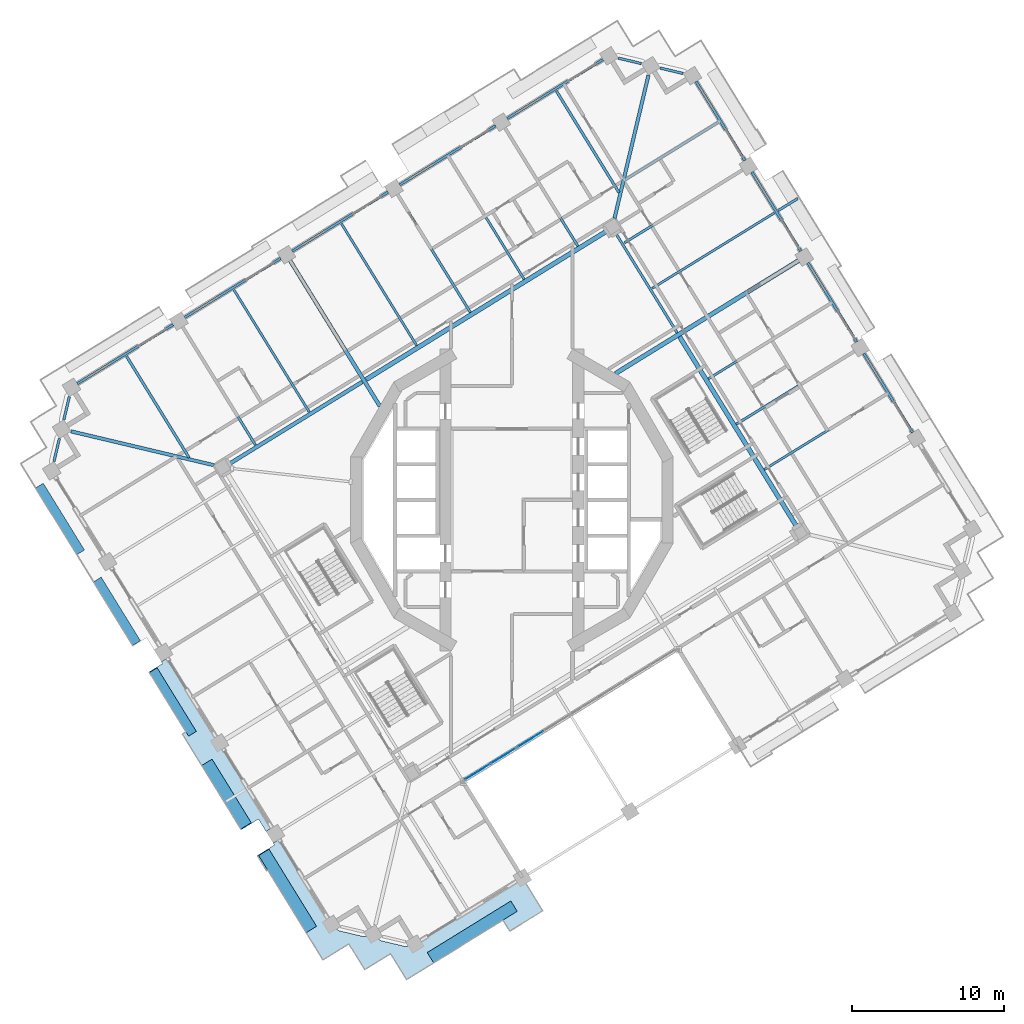
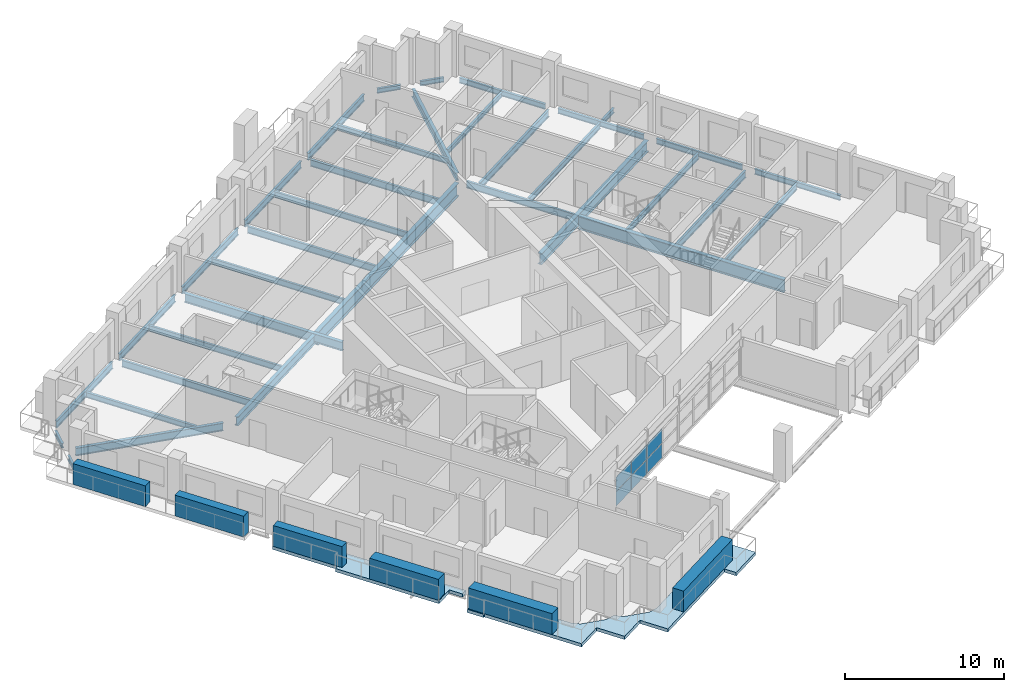
# One storey, part 6 of 22: 36 beams, 12 plates, 2 slabs, 1 element without a shape of its own.
"""IFC4 building model written with IfcOpenShell, lengths in metres."""

from ifc_helpers import new_model, si_unit, direction, frame, origin, origin_2d, place, context, subcontext, project, spatial, polyline, rectangle, i_section, outline, extrude, material, layer, layer_set, material_profile, profile_set, type_object, element, aggregate, save


model = new_model("IFC4")

# Units and contexts
model_context = context("Model", 3, precision=1e-05, world=origin(), true_north=direction((0.0, 1.0)))
body_context = subcontext(model_context, "Body", "Model", "MODEL_VIEW")
ifc_project = project(units=[si_unit("LENGTHUNIT", "METRE"), si_unit("AREAUNIT", "SQUARE_METRE"), si_unit("VOLUMEUNIT", "CUBIC_METRE"), si_unit("PLANEANGLEUNIT", "RADIAN"), si_unit("MASSUNIT", "GRAM", prefix="KILO")], contexts=[model_context])

# Site, building, storey
site_placement = place(None, origin())
site = spatial("IfcSite", under=ifc_project, at=site_placement, CompositionType="ELEMENT")
building_placement = place(site_placement, origin())
building = spatial("IfcBuilding", under=site, at=building_placement, Name="Cantera Rosa Tower", CompositionType="ELEMENT")
storey_placement = place(building_placement, frame((0.0, 0.0, 178.0)))
storey = spatial("IfcBuildingStorey", under=building, at=storey_placement, Name="L39", CompositionType="ELEMENT", Elevation=178.0)

# Beams
ifc_material_1 = material(Name="Steel ASTM A992 (Fy 345 MPa)", Category="steel")
ifc_material_profile_1 = material_profile(ifc_material_1, i_section(OverallWidth=0.300048828125, OverallDepth=0.990966796875, WebThickness=0.0166015625, FlangeThickness=0.030517578125, FilletRadius=0.030029296875, at=origin_2d()), Name="W1000X272")
ifc_profile_set_1 = profile_set([ifc_material_profile_1], Name="Steel ASTM A992 (Fy 345 MPa)")
beam_type_1 = type_object("IfcBeamType", Name="STEEL BEAM W1000X272", PredefinedType="BEAM", material=ifc_profile_set_1)
beam_1_placement = place(storey_placement, frame((18.767822265625, -1.75927734375, -0.74560546875), z_axis=(-0.524974072618, 0.851118219215, 0.0), x_axis=(-0.851118219215, -0.524974072618, 0.0)))
element("IfcBeam", 1, at=beam_1_placement, inside=storey, type_object=beam_type_1, Name="RB-Z3-05 L39", PredefinedType="BEAM", context=body_context, shape_type="SweptSolid", body=[
    extrude(i_section(OverallWidth=0.300048828125, OverallDepth=0.990966796875, WebThickness=0.0166015625, FlangeThickness=0.030517578125, FilletRadius=0.030029296875, at=origin_2d()), origin(), (0.0, 0.0, 1.0), 14.7099609375),
])
ifc_material_2 = material(Name="Steel ASTM A992 (Fy 345 MPa)", Category="steel")
ifc_material_profile_2 = material_profile(ifc_material_2, i_section(OverallWidth=0.302001953125, OverallDepth=1.010009765625, WebThickness=0.02099609375, FlangeThickness=0.0400390625, FilletRadius=0.030029296875, at=origin_2d()), Name="W1000X350")
ifc_profile_set_2 = profile_set([ifc_material_profile_2], Name="Steel ASTM A992 (Fy 345 MPa)")
beam_type_2 = type_object("IfcBeamType", Name="STEEL BEAM W1000X350", PredefinedType="BEAM", material=ifc_profile_set_2)
beam_2_placement = place(storey_placement, frame((-9.607666015625, 7.93798828125, -0.7548828125), z_axis=(0.851118702028, 0.524973289852, 0.0), x_axis=(-0.524973289852, 0.851118702028, 0.0)))
element("IfcBeam", 2, at=beam_2_placement, inside=storey, type_object=beam_type_2, Name="RB-Z3-02 L39", PredefinedType="BEAM", context=body_context, shape_type="SweptSolid", body=[
    extrude(i_section(OverallWidth=0.302001953125, OverallDepth=1.010009765625, WebThickness=0.02099609375, FlangeThickness=0.0400390625, FilletRadius=0.030029296875, at=origin_2d()), origin(), (0.0, 0.0, 1.0), 18.610107421875),
])
ifc_material_3 = material(Name="Steel ASTM A992 (Fy 345 MPa)", Category="steel")
ifc_material_profile_3 = material_profile(ifc_material_3, i_section(OverallWidth=0.166015625, OverallDepth=0.528076171875, WebThickness=0.009765625, FlangeThickness=0.013671875, FilletRadius=0.0126953125, at=origin_2d()), Name="W530X74")
ifc_profile_set_3 = profile_set([ifc_material_profile_3], Name="Steel ASTM A992 (Fy 345 MPa)")
beam_type_3 = type_object("IfcBeamType", Name="STEEL BEAM W530X74", PredefinedType="BEAM", material=ifc_profile_set_3)
for number, where, z_axis, x_axis, name in (
    (3, (22.5673828125, 9.795654296875, -0.513916015625), (-0.851123779764, -0.524965057427, 0.0), (0.524965057427, -0.851123779764, 0.0), "G-Z3-02 L39"),
    (4, (15.19677734375, 21.745361328125, -0.513916015625), (-0.851123779764, -0.524965057427, 0.0), (0.524965057427, -0.851123779764, 0.0), "G-Z3-04 L39"),
):
    element("IfcBeam", number, at=place(storey_placement, frame(where, z_axis=z_axis, x_axis=x_axis)), inside=storey, type_object=beam_type_3, Name=name, PredefinedType="BEAM", context=body_context, shape_type="SweptSolid", body=[
        extrude(i_section(OverallWidth=0.166015625, OverallDepth=0.528076171875, WebThickness=0.009765625, FlangeThickness=0.013671875, FilletRadius=0.0126953125, at=origin_2d()), origin(), (0.0, 0.0, 1.0), 9.150146484375),
    ])
beam_3_placement = place(storey_placement, frame((-0.455078125, 24.51025390625, -0.513916015625), z_axis=(0.524976979362, -0.851116426313, 0.0), x_axis=(0.851116426313, 0.524976979362, 0.0)))
element("IfcBeam", 5, at=beam_3_placement, inside=storey, type_object=beam_type_3, Name="G-Z3-05 L39", PredefinedType="BEAM", context=body_context, shape_type="SweptSolid", body=[
    extrude(i_section(OverallWidth=0.166015625, OverallDepth=0.528076171875, WebThickness=0.009765625, FlangeThickness=0.013671875, FilletRadius=0.0126953125, at=origin_2d()), origin(), (0.0, 0.0, 1.0), 9.14990234375),
])
beam_4_placement = place(storey_placement, frame((-7.536376953125, 20.142578125, -0.513916015625), z_axis=(0.524965057427, -0.851123779764, 0.0), x_axis=(0.851123779764, 0.524965057427, 0.0)))
element("IfcBeam", 6, at=beam_4_placement, inside=storey, type_object=beam_type_3, Name="G-Z3-06 L39", PredefinedType="BEAM", context=body_context, shape_type="SweptSolid", body=[
    extrude(i_section(OverallWidth=0.166015625, OverallDepth=0.528076171875, WebThickness=0.009765625, FlangeThickness=0.013671875, FilletRadius=0.0126953125, at=origin_2d()), origin(), (0.0, 0.0, 1.0), 9.150146484375),
])
beam_5_placement = place(storey_placement, frame((-21.698974609375, 11.40673828125, -0.513916015625), z_axis=(0.524976979362, -0.851116426313, 0.0), x_axis=(0.851116426313, 0.524976979362, 0.0)))
element("IfcBeam", 7, at=beam_5_placement, inside=storey, type_object=beam_type_3, Name="G-Z3-08 L39", PredefinedType="BEAM", context=body_context, shape_type="SweptSolid", body=[
    extrude(i_section(OverallWidth=0.166015625, OverallDepth=0.528076171875, WebThickness=0.009765625, FlangeThickness=0.013671875, FilletRadius=0.0126953125, at=origin_2d()), origin(), (0.0, 0.0, 1.0), 9.14990234375),
])
beam_6_placement = place(storey_placement, frame((10.887939453125, 11.015869140625, -0.513916015625), z_axis=(-0.52497571981, 0.851117203216, 0.0), x_axis=(-0.851117203216, -0.52497571981, 0.0)))
element("IfcBeam", 8, at=beam_6_placement, inside=storey, type_object=beam_type_3, Name="RB-Z3-06 L39", PredefinedType="BEAM", context=body_context, shape_type="SweptSolid", body=[
    extrude(i_section(OverallWidth=0.166015625, OverallDepth=0.528076171875, WebThickness=0.009765625, FlangeThickness=0.013671875, FilletRadius=0.0126953125, at=origin_2d()), origin(), (0.0, 0.0, 1.0), 7.690185546875),
])
ifc_material_4 = material(Name="Steel ASTM A992 (Fy 345 MPa)", Category="steel")
ifc_material_profile_4 = material_profile(ifc_material_4, i_section(OverallWidth=0.22802734375, OverallDepth=0.60205078125, WebThickness=0.010498046875, FlangeThickness=0.014892578125, FilletRadius=0.0126953125, at=origin_2d()), Name="W610X101")
ifc_profile_set_4 = profile_set([ifc_material_profile_4], Name="Steel ASTM A992 (Fy 345 MPa)")
beam_type_4 = type_object("IfcBeamType", Name="STEEL BEAM W610X101", PredefinedType="BEAM", material=ifc_profile_set_4)
for number, where, z_axis, x_axis, name in (
    (9, (8.995361328125, 27.989501953125, -0.551025390625), (-0.230622120091, -0.973043389436, 0.0), (0.973043389436, -0.230622120091, 0.0), "CB-Z3-01 L39"),
    (10, (-29.049560546875, 4.523193359375, -0.551025390625), (0.973043389436, -0.230622120091, 0.0), (0.230622120091, 0.973043389436, 0.0), "CB-Z3-02 L39"),
):
    element("IfcBeam", number, at=place(storey_placement, frame(where, z_axis=z_axis, x_axis=x_axis)), inside=storey, type_object=beam_type_4, Name=name, PredefinedType="BEAM", context=body_context, shape_type="SweptSolid", body=[
        extrude(i_section(OverallWidth=0.22802734375, OverallDepth=0.60205078125, WebThickness=0.010498046875, FlangeThickness=0.014892578125, FilletRadius=0.0126953125, at=origin_2d()), origin(), (0.0, 0.0, 1.0), 9.6875),
    ])
ifc_material_5 = material(Name="Steel ASTM A992 (Fy 345 MPa)", Category="steel")
ifc_material_profile_5 = material_profile(ifc_material_5, i_section(OverallWidth=0.25390625, OverallDepth=0.677978515625, WebThickness=0.01171875, FlangeThickness=0.016357421875, FilletRadius=0.01513671875, at=origin_2d()), Name="W690X125")
ifc_profile_set_5 = profile_set([ifc_material_profile_5], Name="Steel ASTM A992 (Fy 345 MPa)")
beam_type_5 = type_object("IfcBeamType", Name="STEEL BEAM W690X125", PredefinedType="BEAM", material=ifc_profile_set_5)
beam_7_placement = place(storey_placement, frame((-14.61767578125, 15.774658203125, -0.589111328125), z_axis=(0.524984160378, -0.85111199695, 0.0), x_axis=(0.85111199695, 0.524984160378, 0.0)))
element("IfcBeam", 11, at=beam_7_placement, inside=storey, type_object=beam_type_5, Name="G-Z3-07 L39", PredefinedType="BEAM", context=body_context, shape_type="SweptSolid", body=[
    extrude(i_section(OverallWidth=0.25390625, OverallDepth=0.677978515625, WebThickness=0.01171875, FlangeThickness=0.016357421875, FilletRadius=0.01513671875, at=origin_2d()), origin(), (0.0, 0.0, 1.0), 11.271728515625),
])
beam_8_placement = place(storey_placement, frame((-18.62109375, 2.37841796875, -0.589111328125), z_axis=(0.851114508358, 0.524980088825, 0.0), x_axis=(-0.524980088825, 0.851114508358, 0.0)))
element("IfcBeam", 12, at=beam_8_placement, inside=storey, type_object=beam_type_5, Name="RB-Z3-01 L39", PredefinedType="BEAM", context=body_context, shape_type="SweptSolid", body=[
    extrude(i_section(OverallWidth=0.25390625, OverallDepth=0.677978515625, WebThickness=0.01171875, FlangeThickness=0.016357421875, FilletRadius=0.01513671875, at=origin_2d()), origin(), (0.0, 0.0, 1.0), 10.2900390625),
])
ifc_material_6 = material(Name="Steel ASTM A992 (Fy 345 MPa)", Category="steel")
ifc_material_profile_6 = material_profile(ifc_material_6, i_section(OverallWidth=0.2919921875, OverallDepth=0.8359375, WebThickness=0.013916015625, FlangeThickness=0.018798828125, FilletRadius=0.017822265625, at=origin_2d()), Name="W840X176")
ifc_profile_set_6 = profile_set([ifc_material_profile_6], Name="Steel ASTM A992 (Fy 345 MPa)")
beam_type_6 = type_object("IfcBeamType", Name="STEEL BEAM W840X176", PredefinedType="BEAM", material=ifc_profile_set_6)
beam_9_placement = place(storey_placement, frame((18.882080078125, 15.7705078125, -0.66796875), z_axis=(-0.8511231456, -0.524966085595, 0.0), x_axis=(0.524966085595, -0.8511231456, 0.0)))
element("IfcBeam", 13, at=beam_9_placement, inside=storey, type_object=beam_type_6, Name="G-Z3-03 L39", PredefinedType="BEAM", context=body_context, shape_type="SweptSolid", body=[
    extrude(i_section(OverallWidth=0.2919921875, OverallDepth=0.8359375, WebThickness=0.013916015625, FlangeThickness=0.018798828125, FilletRadius=0.017822265625, at=origin_2d()), origin(), (0.0, 0.0, 1.0), 14.17138671875),
])
ifc_material_7 = material(Name="Steel ASTM A992 (Fy 345 MPa)", Category="steel")
ifc_material_profile_7 = material_profile(ifc_material_7, i_section(OverallWidth=0.1708984375, OverallDepth=0.35595703125, WebThickness=0.00732421875, FlangeThickness=0.01171875, FilletRadius=0.010009765625, at=origin_2d()), Name="W360X51")
ifc_profile_set_7 = profile_set([ifc_material_profile_7], Name="Steel ASTM A992 (Fy 345 MPa)")
beam_type_7 = type_object("IfcBeamType", Name="STEEL JOIST W360X51", PredefinedType="JOIST", material=ifc_profile_set_7)
beam_10_placement = place(storey_placement, frame((13.609375, 24.890380859375, -0.427978515625), z_axis=(-0.851109089911, -0.524988873283, 0.0), x_axis=(0.524988873283, -0.851109089911, 0.0)))
element("IfcBeam", 14, at=beam_10_placement, inside=storey, type_object=beam_type_7, Name="B-Z3-05 L39", PredefinedType="JOIST", context=body_context, shape_type="SweptSolid", body=[
    extrude(i_section(OverallWidth=0.1708984375, OverallDepth=0.35595703125, WebThickness=0.00732421875, FlangeThickness=0.01171875, FilletRadius=0.010009765625, at=origin_2d()), origin(), (0.0, 0.0, 1.0), 7.2099609375),
])
beam_11_placement = place(storey_placement, frame((17.532958984375, 19.0625, -0.427978515625), z_axis=(0.851148289142, 0.524925318393, 0.0), x_axis=(-0.524925318393, 0.851148289142, 0.0)))
element("IfcBeam", 15, at=beam_11_placement, inside=storey, type_object=beam_type_7, Name="BS-Z3-24 L39", PredefinedType="JOIST", context=body_context, shape_type="SweptSolid", body=[
    extrude(i_section(OverallWidth=0.1708984375, OverallDepth=0.35595703125, WebThickness=0.00732421875, FlangeThickness=0.01171875, FilletRadius=0.010009765625, at=origin_2d()), origin(), (0.0, 0.0, 1.0), 1.52978515625),
])
ifc_material_8 = material(Name="Steel ASTM A992 (Fy 345 MPa)", Category="steel")
ifc_material_profile_8 = material_profile(ifc_material_8, i_section(OverallWidth=0.177978515625, OverallDepth=0.406005859375, WebThickness=0.0078125, FlangeThickness=0.0126953125, FilletRadius=0.01025390625, at=origin_2d()), Name="W410X60")
ifc_profile_set_8 = profile_set([ifc_material_profile_8], Name="Steel ASTM A992 (Fy 345 MPa)")
beam_type_8 = type_object("IfcBeamType", Name="STEEL JOIST W410X60", PredefinedType="JOIST", material=ifc_profile_set_8)
beam_12_placement = place(storey_placement, frame((2.927978515625, 26.949462890625, -0.452880859375), z_axis=(0.524994840515, -0.85110540912, 0.0), x_axis=(0.85110540912, 0.524994840515, 0.0)))
element("IfcBeam", 16, at=beam_12_placement, inside=storey, type_object=beam_type_8, Name="B-Z3-06 L39", PredefinedType="JOIST", context=body_context, shape_type="SweptSolid", body=[
    extrude(i_section(OverallWidth=0.177978515625, OverallDepth=0.406005859375, WebThickness=0.0078125, FlangeThickness=0.0126953125, FilletRadius=0.01025390625, at=origin_2d()), origin(), (0.0, 0.0, 1.0), 7.860107421875),
])
beam_13_placement = place(storey_placement, frame((-25.39697265625, 9.478271484375, -0.452880859375), z_axis=(0.524972339906, -0.851119287958, 0.0), x_axis=(0.851119287958, 0.524972339906, 0.0)))
element("IfcBeam", 17, at=beam_13_placement, inside=storey, type_object=beam_type_8, Name="B-Z3-10 L39", PredefinedType="JOIST", context=body_context, shape_type="SweptSolid", body=[
    extrude(i_section(OverallWidth=0.177978515625, OverallDepth=0.406005859375, WebThickness=0.0078125, FlangeThickness=0.0126953125, FilletRadius=0.01025390625, at=origin_2d()), origin(), (0.0, 0.0, 1.0), 7.85986328125),
])
ifc_material_9 = material(Name="Steel ASTM A992 (Fy 345 MPa)", Category="steel")
ifc_material_profile_9 = material_profile(ifc_material_9, i_section(OverallWidth=0.154052734375, OverallDepth=0.4599609375, WebThickness=0.009033203125, FlangeThickness=0.015380859375, FilletRadius=0.01025390625, at=origin_2d()), Name="W460X68")
ifc_profile_set_9 = profile_set([ifc_material_profile_9], Name="Steel ASTM A992 (Fy 345 MPa)")
beam_type_9 = type_object("IfcBeamType", Name="STEEL JOIST W460X68", PredefinedType="JOIST", material=ifc_profile_set_9)
for number, where, z_axis, x_axis, name in (
    (18, (24.665283203125, 6.9658203125, -0.47998046875), (-0.851118539758, -0.524973552935, 0.0), (0.524973552935, -0.851118539758, 0.0), "B-Z3-02 L39"),
    (19, (20.97998046875, 12.940673828125, -0.47998046875), (-0.851118539758, -0.524973552935, 0.0), (0.524973552935, -0.851118539758, 0.0), "B-Z3-03 L39"),
    (20, (17.294677734375, 18.91552734375, -0.47998046875), (-0.851118539758, -0.524973552935, 0.0), (0.524973552935, -0.851118539758, 0.0), "B-Z3-04 L39"),
):
    element("IfcBeam", number, at=place(storey_placement, frame(where, z_axis=z_axis, x_axis=x_axis)), inside=storey, type_object=beam_type_9, Name=name, PredefinedType="JOIST", context=body_context, shape_type="SweptSolid", body=[
        extrude(i_section(OverallWidth=0.154052734375, OverallDepth=0.4599609375, WebThickness=0.009033203125, FlangeThickness=0.015380859375, FilletRadius=0.01025390625, at=origin_2d()), origin(), (0.0, 0.0, 1.0), 9.449951171875),
    ])
beam_14_placement = place(storey_placement, frame((-4.1533203125, 22.581787109375, -0.47998046875), z_axis=(0.524980724235, -0.851114116427, 0.0), x_axis=(0.851114116427, 0.524980724235, 0.0)))
element("IfcBeam", 21, at=beam_14_placement, inside=storey, type_object=beam_type_9, Name="B-Z3-07 L39", PredefinedType="JOIST", context=body_context, shape_type="SweptSolid", body=[
    extrude(i_section(OverallWidth=0.154052734375, OverallDepth=0.4599609375, WebThickness=0.009033203125, FlangeThickness=0.015380859375, FilletRadius=0.01025390625, at=origin_2d()), origin(), (0.0, 0.0, 1.0), 9.4501953125),
])
beam_15_placement = place(storey_placement, frame((-11.234619140625, 18.2138671875, -0.47998046875), z_axis=(0.524992267726, -0.85110699611, 0.0), x_axis=(0.85110699611, 0.524992267726, 0.0)))
element("IfcBeam", 22, at=beam_15_placement, inside=storey, type_object=beam_type_9, Name="B-Z3-08 L39", PredefinedType="JOIST", context=body_context, shape_type="SweptSolid", body=[
    extrude(i_section(OverallWidth=0.154052734375, OverallDepth=0.4599609375, WebThickness=0.009033203125, FlangeThickness=0.015380859375, FilletRadius=0.01025390625, at=origin_2d()), origin(), (0.0, 0.0, 1.0), 9.449951171875),
])
beam_16_placement = place(storey_placement, frame((-18.315673828125, 13.84619140625, -0.47998046875), z_axis=(0.524962009542, -0.851125659663, 0.0), x_axis=(0.851125659663, 0.524962009542, 0.0)))
element("IfcBeam", 23, at=beam_16_placement, inside=storey, type_object=beam_type_9, Name="B-Z3-09 L39", PredefinedType="JOIST", context=body_context, shape_type="SweptSolid", body=[
    extrude(i_section(OverallWidth=0.154052734375, OverallDepth=0.4599609375, WebThickness=0.009033203125, FlangeThickness=0.015380859375, FilletRadius=0.01025390625, at=origin_2d()), origin(), (0.0, 0.0, 1.0), 9.4501953125),
])
ifc_material_10 = material(Name="Steel ASTM A992 (Fy 345 MPa)", Category="steel")
ifc_material_profile_10 = material_profile(ifc_material_10, i_section(OverallWidth=0.1708984375, OverallDepth=0.35595703125, WebThickness=0.00732421875, FlangeThickness=0.01171875, FilletRadius=0.010009765625, at=origin_2d()), Name="W360X51")
ifc_profile_set_10 = profile_set([ifc_material_profile_10], Name="Steel ASTM A992 (Fy 345 MPa)")
beam_type_10 = type_object("IfcBeamType", Name="STEEL SPANDREL BEAM W360X51", PredefinedType="SPANDREL", material=ifc_profile_set_10)
for number, where, z_axis, x_axis, name in (
    (24, (11.275146484375, 28.103271484375, -0.427978515625), (-0.973059906546, 0.230552419793, 0.0), (-0.230552419793, -0.973059906546, 0.0), "EB-Z3-06 L39"),
    (25, (8.52294921875, 28.755615234375, -0.427978515625), (-0.973059906546, 0.230552419793, 0.0), (-0.230552419793, -0.973059906546, 0.0), "EB-Z3-07 L39"),
    (26, (-29.163330078125, 6.802734375, -0.427978515625), (-0.230552419793, -0.973059906546, 0.0), (0.973059906546, -0.230552419793, 0.0), "EB-Z3-13 L39"),
    (27, (-29.8154296875, 4.050537109375, -0.427978515625), (-0.230701014544, -0.973024687194, 0.0), (0.973024687194, -0.230701014544, 0.0), "EB-Z3-14 L39"),
):
    element("IfcBeam", number, at=place(storey_placement, frame(where, z_axis=z_axis, x_axis=x_axis)), inside=storey, type_object=beam_type_10, Name=name, PredefinedType="SPANDREL", context=body_context, shape_type="SweptSolid", body=[
        extrude(i_section(OverallWidth=0.1708984375, OverallDepth=0.35595703125, WebThickness=0.00732421875, FlangeThickness=0.01171875, FilletRadius=0.010009765625, at=origin_2d()), origin(), (0.0, 0.0, 1.0), 1.5556640625),
    ])
ifc_material_11 = material(Name="Steel ASTM A992 (Fy 345 MPa)", Category="steel")
ifc_material_profile_11 = material_profile(ifc_material_11, i_section(OverallWidth=0.177978515625, OverallDepth=0.406005859375, WebThickness=0.0078125, FlangeThickness=0.0126953125, FilletRadius=0.01025390625, at=origin_2d()), Name="W410X60")
ifc_profile_set_11 = profile_set([ifc_material_profile_11], Name="Steel ASTM A992 (Fy 345 MPa)")
beam_type_11 = type_object("IfcBeamType", Name="STEEL SPANDREL BEAM W410X60", PredefinedType="SPANDREL", material=ifc_profile_set_11)
for number, where, z_axis, x_axis, name in (
    (28, (26.3994140625, 4.440185546875, -0.452880859375), (-0.524987447654, 0.851109969279, 0.0), (-0.851109969279, -0.524987447654, 0.0), "EB-Z3-02 L39"),
    (29, (22.714111328125, 10.4150390625, -0.452880859375), (-0.524987447654, 0.851109969279, 0.0), (-0.851109969279, -0.524987447654, 0.0), "EB-Z3-03 L39"),
    (30, (19.02880859375, 16.389892578125, -0.452880859375), (-0.524987447654, 0.851109969279, 0.0), (-0.851109969279, -0.524987447654, 0.0), "EB-Z3-04 L39"),
    (31, (15.343505859375, 22.36474609375, -0.452880859375), (-0.524987447654, 0.851109969279, 0.0), (-0.851109969279, -0.524987447654, 0.0), "EB-Z3-05 L39"),
):
    element("IfcBeam", number, at=place(storey_placement, frame(where, z_axis=z_axis, x_axis=x_axis)), inside=storey, type_object=beam_type_11, Name=name, PredefinedType="SPANDREL", context=body_context, shape_type="SweptSolid", body=[
        extrude(i_section(OverallWidth=0.177978515625, OverallDepth=0.406005859375, WebThickness=0.0078125, FlangeThickness=0.0126953125, FilletRadius=0.01025390625, at=origin_2d()), origin(), (0.0, 0.0, 1.0), 6.119873046875),
    ])
ifc_material_12 = material(Name="Steel ASTM A992 (Fy 345 MPa)", Category="steel")
ifc_material_profile_12 = material_profile(ifc_material_12, i_section(OverallWidth=0.166015625, OverallDepth=0.528076171875, WebThickness=0.009765625, FlangeThickness=0.013671875, FilletRadius=0.0126953125, at=origin_2d()), Name="W530X74")
ifc_profile_set_12 = profile_set([ifc_material_profile_12], Name="Steel ASTM A992 (Fy 345 MPa)")
beam_type_12 = type_object("IfcBeamType", Name="STEEL SPANDREL BEAM W530X74", PredefinedType="SPANDREL", material=ifc_profile_set_12)
for number, where, z_axis, x_axis, name in (
    (32, (6.007080078125, 29.02490234375, -0.513916015625), (-0.851111085575, -0.524985637909, 0.0), (0.524985637909, -0.851111085575, 0.0), "EB-Z3-08 L39"),
    (33, (-1.07421875, 24.656982421875, -0.513916015625), (-0.85112578684, -0.524961803349, 0.0), (0.524961803349, -0.85112578684, 0.0), "EB-Z3-09 L39"),
    (34, (-8.155517578125, 20.289306640625, -0.513916015625), (-0.851111085575, -0.524985637909, 0.0), (0.524985637909, -0.851111085575, 0.0), "EB-Z3-10 L39"),
    (35, (-15.23681640625, 15.92138671875, -0.513916015625), (-0.85112578684, -0.524961803349, 0.0), (0.524961803349, -0.85112578684, 0.0), "EB-Z3-11 L39"),
    (36, (-22.318115234375, 11.5537109375, -0.513916015625), (-0.851111085575, -0.524985637909, 0.0), (0.524985637909, -0.851111085575, 0.0), "EB-Z3-12 L39"),
):
    element("IfcBeam", number, at=place(storey_placement, frame(where, z_axis=z_axis, x_axis=x_axis)), inside=storey, type_object=beam_type_12, Name=name, PredefinedType="SPANDREL", context=body_context, shape_type="SweptSolid", body=[
        extrude(i_section(OverallWidth=0.166015625, OverallDepth=0.528076171875, WebThickness=0.009765625, FlangeThickness=0.013671875, FilletRadius=0.0126953125, at=origin_2d()), origin(), (0.0, 0.0, 1.0), 7.420166015625),
    ])

# Curtain wall, plates
ifc_material_13 = material(Name="Aluminium frame with clear glass", Category="aluminium")
curtain_wall_type = type_object("IfcCurtainWallType", Name="CW1 TERRACE POCKET GLAZING", PredefinedType="NOTDEFINED", material=ifc_material_13)
curtain_wall_placement = place(storey_placement, origin())
curtain_wall = element("IfcCurtainWall", 37, at=curtain_wall_placement, inside=storey, type_object=curtain_wall_type, Name="CW1 CW1", PredefinedType="NOTDEFINED")
ifc_material_14 = material(Name="Aluminium frame with clear glass", Category="aluminium")
ifc_layer_1 = layer(ifc_material_14, 0.028076171875)
ifc_layer_set_1 = layer_set([ifc_layer_1], Name="CW-PANEL POCKET")
plate_type_1 = type_object("IfcPlateType", Name="CW-PANEL POCKET", PredefinedType="CURTAIN_PANEL", material=ifc_layer_set_1)
plate_1_placement = place(storey_placement, frame((-2.2548828125, -17.898681640625, 0.06005859375), z_axis=(0.0, 0.0, 1.0), x_axis=(0.851116672425, 0.524976580354, 0.0)))
plate_1 = element("IfcPlate", 38, at=plate_1_placement, type_object=plate_type_1, Name="CW1 panel 1.1", PredefinedType="CURTAIN_PANEL", context=body_context, shape_type="SweptSolid", body=[
    extrude(rectangle(XDim=1.958740234375, YDim=0.028076171875, at=origin_2d()), origin(), (0.0, 0.0, 1.0), 1.0791015625),
])
plate_2_placement = place(storey_placement, frame((-2.2548828125, -17.898681640625, 1.198974609375), z_axis=(0.0, 0.0, 1.0), x_axis=(0.851116672425, 0.524976580354, 0.0)))
plate_2 = element("IfcPlate", 39, at=plate_2_placement, type_object=plate_type_1, Name="CW1 panel 1.2", PredefinedType="CURTAIN_PANEL", context=body_context, shape_type="SweptSolid", body=[
    extrude(rectangle(XDim=1.958740234375, YDim=0.028076171875, at=origin_2d()), origin(), (0.0, 0.0, 1.0), 1.0791015625),
])
plate_3_placement = place(storey_placement, frame((-0.52392578125, -16.8310546875, 0.06005859375), z_axis=(0.0, 0.0, 1.0), x_axis=(0.851116672425, 0.524976580354, 0.0)))
plate_3 = element("IfcPlate", 40, at=plate_3_placement, type_object=plate_type_1, Name="CW1 panel 2.1", PredefinedType="CURTAIN_PANEL", context=body_context, shape_type="SweptSolid", body=[
    extrude(rectangle(XDim=1.98876953125, YDim=0.028076171875, at=origin_2d()), origin(), (0.0, 0.0, 1.0), 1.0791015625),
])
plate_4_placement = place(storey_placement, frame((-0.52392578125, -16.8310546875, 1.198974609375), z_axis=(0.0, 0.0, 1.0), x_axis=(0.851116672425, 0.524976580354, 0.0)))
plate_4 = element("IfcPlate", 41, at=plate_4_placement, type_object=plate_type_1, Name="CW1 panel 2.2", PredefinedType="CURTAIN_PANEL", context=body_context, shape_type="SweptSolid", body=[
    extrude(rectangle(XDim=1.98876953125, YDim=0.028076171875, at=origin_2d()), origin(), (0.0, 0.0, 1.0), 1.0791015625),
])
plate_5_placement = place(storey_placement, frame((1.2197265625, -15.75537109375, 0.06005859375), z_axis=(0.0, 0.0, 1.0), x_axis=(0.851116672425, 0.524976580354, 0.0)))
plate_5 = element("IfcPlate", 42, at=plate_5_placement, type_object=plate_type_1, Name="CW1 panel 3.1", PredefinedType="CURTAIN_PANEL", context=body_context, shape_type="SweptSolid", body=[
    extrude(rectangle(XDim=1.98876953125, YDim=0.028076171875, at=origin_2d()), origin(), (0.0, 0.0, 1.0), 1.0791015625),
])
plate_6_placement = place(storey_placement, frame((1.2197265625, -15.75537109375, 1.198974609375), z_axis=(0.0, 0.0, 1.0), x_axis=(0.851116672425, 0.524976580354, 0.0)))
plate_6 = element("IfcPlate", 43, at=plate_6_placement, type_object=plate_type_1, Name="CW1 panel 3.2", PredefinedType="CURTAIN_PANEL", context=body_context, shape_type="SweptSolid", body=[
    extrude(rectangle(XDim=1.98876953125, YDim=0.028076171875, at=origin_2d()), origin(), (0.0, 0.0, 1.0), 1.0791015625),
])
aggregate(curtain_wall, [plate_1, plate_2, plate_3, plate_4, plate_5, plate_6])

# Slabs
ifc_material_15 = material(Name="Concrete C35/45", Category="concrete")
ifc_layer_2 = layer(ifc_material_15, 0.25)
ifc_layer_set_2 = layer_set([ifc_layer_2], Name="LOGGIA SLAB 250 C35/45")
slab_type = type_object("IfcSlabType", Name="LOGGIA SLAB 250 C35/45", PredefinedType="FLOOR", material=ifc_layer_set_2)
slab_1_placement = place(storey_placement, frame((0.0, 0.0, -0.25)))
element("IfcSlab", 44, at=slab_1_placement, inside=storey, type_object=slab_type, Name="LOGGIA SLAB L39 2", PredefinedType="FLOOR", context=body_context, shape_type="SweptSolid", body=[
    extrude(outline(polyline([(-23.439697265625, -12.09619140625), (-23.912109375, -11.330078125), (-23.018310546875, -10.77880859375), (-23.09716796875, -10.651123046875), (-22.714111328125, -10.4150390625), (-15.81591796875, -21.5986328125), (-16.198974609375, -21.8349609375), (-16.69775390625, -21.0263671875), (-17.829345703125, -21.724365234375), (-21.714111328125, -15.426513671875), (-21.47607421875, -15.279541015625), (-23.439697265625, -12.09619140625)])), origin(), (0.0, 0.0, 1.0), 0.25),
])
slab_2_placement = place(storey_placement, frame((0.0, 0.0, -0.25)))
element("IfcSlab", 45, at=slab_2_placement, inside=storey, type_object=slab_type, Name="LOGGIA SLAB L39 4", PredefinedType="FLOOR", context=body_context, shape_type="SweptSolid", body=[
    extrude(outline(polyline([(-5.49755859375, -30.7080078125), (-6.9443359375, -31.600341796875), (-7.8369140625, -30.153564453125), (-7.994384765625, -29.898193359375), (-8.249755859375, -30.0556640625), (-9.696533203125, -30.9482421875), (-10.589111328125, -29.501220703125), (-10.74658203125, -29.245849609375), (-11.001953125, -29.4033203125), (-12.44873046875, -30.2958984375), (-13.34130859375, -28.84912109375), (-16.09228515625, -24.388916015625), (-16.16015625, -24.4306640625), (-16.779296875, -23.426513671875), (-15.647705078125, -22.728515625), (-15.7265625, -22.600830078125), (-15.343505859375, -22.36474609375), (-12.408935546875, -27.122314453125), (-11.894287109375, -27.95654296875), (-11.4736328125, -28.328125), (-11.45068359375, -28.346435546875), (-11.426025390625, -28.362548828125), (-11.39990234375, -28.376220703125), (-11.37255859375, -28.386962890625), (-11.34423828125, -28.395263671875), (-9.83056640625, -28.75390625), (-9.801513671875, -28.75927734375), (-9.772216796875, -28.76171875), (-9.742919921875, -28.761474609375), (-9.713623046875, -28.75830078125), (-9.684814453125, -28.752197265625), (-9.14208984375, -28.60888671875), (-8.721435546875, -28.98046875), (-8.698486328125, -28.998779296875), (-8.673828125, -29.014892578125), (-8.647705078125, -29.0283203125), (-8.620361328125, -29.039306640625), (-8.592041015625, -29.047607421875), (-7.078369140625, -29.40625), (-7.049560546875, -29.41162109375), (-7.02001953125, -29.4140625), (-6.99072265625, -29.413818359375), (-6.96142578125, -29.410400390625), (-6.9326171875, -29.404296875), (-6.389892578125, -29.260986328125), (0.69140625, -24.893310546875), (2.031005859375, -27.065185546875), (-0.14111328125, -28.40478515625), (-0.588134765625, -27.6796875), (-5.49755859375, -30.7080078125)])), origin(), (0.0, 0.0, 1.0), 0.25),
])

# Plates
ifc_material_16 = material(Name="Cantera stone planter with soil", Category="masonry")
plate_type_2 = type_object("IfcPlateType", Name="PLANTER 600", PredefinedType="USERDEFINED", material=ifc_material_16)
plate_7_placement = place(storey_placement, frame((-29.775390625, -1.2529296875, 0.0), z_axis=(0.0, 0.0, 1.0), x_axis=(0.52497658034, -0.851116672434, 0.0)))
element("IfcPlate", 46, at=plate_7_placement, inside=storey, type_object=plate_type_2, Name="PLANTER L39-11", ObjectType="PLANTER", PredefinedType="USERDEFINED", context=body_context, shape_type="SweptSolid", body=[
    extrude(rectangle(XDim=5.169921875, YDim=0.60009765625, at=origin_2d()), origin(), (0.0, 0.0, 1.0), 1.60009765625),
])
for number, where, z_axis, x_axis, name in (
    (47, (-26.0244140625, -7.333984375, 0.0), (0.0, 0.0, 1.0), (0.52497658034, -0.851116672434, 0.0), "PLANTER L39-12"),
    (48, (-22.339111328125, -13.308837890625, 0.0), (0.0, 0.0, 1.0), (0.52497658034, -0.851116672434, 0.0), "PLANTER L39-13"),
):
    element("IfcPlate", number, at=place(storey_placement, frame(where, z_axis=z_axis, x_axis=x_axis)), inside=storey, type_object=plate_type_2, Name=name, ObjectType="PLANTER", PredefinedType="USERDEFINED", context=body_context, shape_type="SweptSolid", body=[
        extrude(rectangle(XDim=4.919921875, YDim=0.60009765625, at=origin_2d()), origin(), (0.0, 0.0, 1.0), 1.60009765625),
    ])
ifc_material_17 = material(Name="Cantera stone planter with soil", Category="masonry")
plate_type_3 = type_object("IfcPlateType", Name="PLANTER 800", PredefinedType="USERDEFINED", material=ifc_material_17)
plate_8_placement = place(storey_placement, frame((-18.806640625, -19.378173828125, 0.0), z_axis=(0.0, 0.0, 1.0), x_axis=(0.52497658034, -0.851116672434, 0.0)))
element("IfcPlate", 49, at=plate_8_placement, inside=storey, type_object=plate_type_3, Name="PLANTER L39-14", ObjectType="PLANTER", PredefinedType="USERDEFINED", context=body_context, shape_type="SweptSolid", body=[
    extrude(rectangle(XDim=4.919921875, YDim=0.800048828125, at=origin_2d()), origin(), (0.0, 0.0, 1.0), 1.60009765625),
])
plate_9_placement = place(storey_placement, frame((-14.77783203125, -25.758056640625, 0.0), z_axis=(0.0, 0.0, 1.0), x_axis=(0.52497658034, -0.851116672434, 0.0)))
element("IfcPlate", 50, at=plate_9_placement, inside=storey, type_object=plate_type_3, Name="PLANTER L39-15", ObjectType="PLANTER", PredefinedType="USERDEFINED", context=body_context, shape_type="SweptSolid", body=[
    extrude(rectangle(XDim=5.969970703125, YDim=0.800048828125, at=origin_2d()), origin(), (0.0, 0.0, 1.0), 1.60009765625),
])
plate_10_placement = place(storey_placement, frame((-2.61376953125, -28.459228515625, 0.0), z_axis=(0.0, 0.0, 1.0), x_axis=(0.851116672434, 0.52497658034, 0.0)))
element("IfcPlate", 51, at=plate_10_placement, inside=storey, type_object=plate_type_3, Name="PLANTER L39-16", ObjectType="PLANTER", PredefinedType="USERDEFINED", context=body_context, shape_type="SweptSolid", body=[
    extrude(rectangle(XDim=6.469970703125, YDim=0.800048828125, at=origin_2d()), origin(), (0.0, 0.0, 1.0), 1.60009765625),
])

save(model, "model.ifc")
